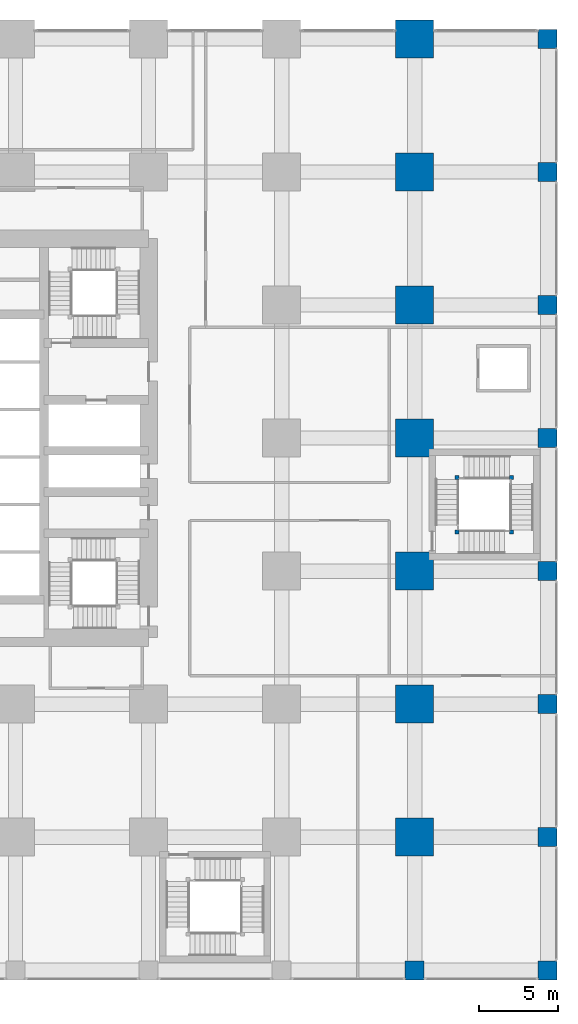
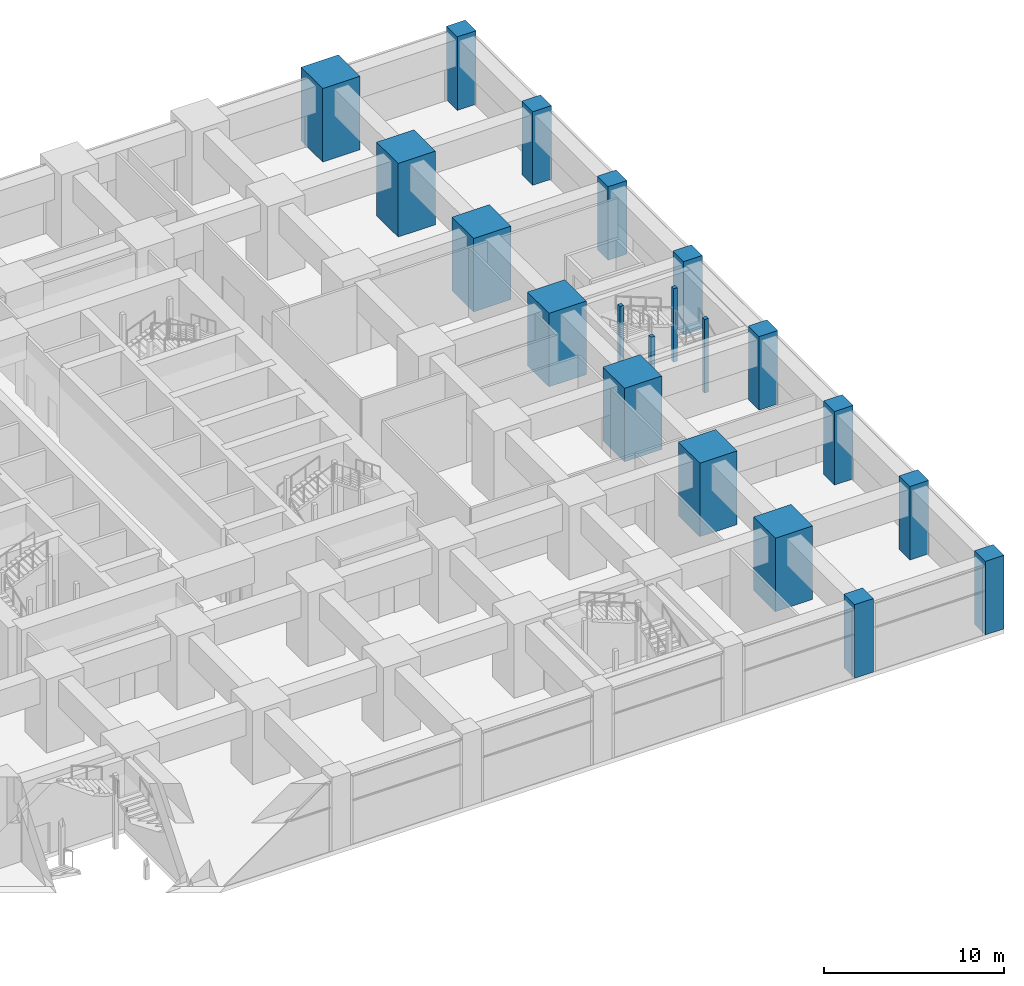
# One storey, part 2 of 49: 20 columns.
"""IFC4 building model written with IfcOpenShell, lengths in metres."""

from ifc_helpers import new_model, si_unit, direction, frame, origin, origin_2d, place, context, subcontext, project, spatial, rectangle, extrude, material, material_profile, profile_set, type_object, element, save


model = new_model("IFC4")

# Units and contexts
model_context = context("Model", 3, precision=1e-05, world=origin(), true_north=direction((0.0, 1.0)))
body_context = subcontext(model_context, "Body", "Model", "MODEL_VIEW")
ifc_project = project(units=[si_unit("LENGTHUNIT", "METRE"), si_unit("AREAUNIT", "SQUARE_METRE"), si_unit("VOLUMEUNIT", "CUBIC_METRE"), si_unit("PLANEANGLEUNIT", "RADIAN"), si_unit("MASSUNIT", "GRAM", prefix="KILO")], contexts=[model_context])

# Site, building, storey
site_placement = place(None, origin())
site = spatial("IfcSite", under=ifc_project, at=site_placement, CompositionType="ELEMENT")
building_placement = place(site_placement, origin())
building = spatial("IfcBuilding", under=site, at=building_placement, Name="Rekha Terrace Tower", CompositionType="ELEMENT")
storey_placement = place(building_placement, frame((0.0, 0.0, 10.39990234375)))
storey = spatial("IfcBuildingStorey", under=building, at=storey_placement, Name="L02", CompositionType="ELEMENT", Elevation=10.39990234375)

# Columns
ifc_material_1 = material(Name="Concrete M70", Category="concrete")
ifc_material_profile_1 = material_profile(ifc_material_1, rectangle(XDim=2.39990234375, YDim=2.39990234375, at=origin_2d()), Name="RC 2400x2400")
ifc_profile_set_1 = profile_set([ifc_material_profile_1], Name="Concrete M70")
column_type_1 = type_object("IfcColumnType", Name="C1 2400x2400 column", PredefinedType="COLUMN", material=ifc_profile_set_1)
for number, where, z_axis, x_axis, name in (
    (1, (67.199951171875, 8.39990234375, 0.0), (0.0, 0.0, 1.0), (1.0, 0.0, 0.0), "Column C1 9/B L02"),
    (2, (67.199951171875, 16.800048828125, 0.0), (0.0, 0.0, 1.0), (1.0, 0.0, 0.0), "Column C1 9/C L02"),
    (3, (67.199951171875, 25.199951171875, 0.0), (0.0, 0.0, 1.0), (1.0, 0.0, 0.0), "Column C1 9/D L02"),
    (4, (67.199951171875, 33.60009765625, 0.0), (0.0, 0.0, 1.0), (1.0, 0.0, 0.0), "Column C1 9/E L02"),
    (5, (67.199951171875, 42.0, 0.0), (0.0, 0.0, 1.0), (1.0, 0.0, 0.0), "Column C1 9/F L02"),
    (6, (67.199951171875, 50.39990234375, 0.0), (0.0, 0.0, 1.0), (1.0, 0.0, 0.0), "Column C1 9/G L02"),
    (7, (67.199951171875, 58.800048828125, 0.0), (0.0, 0.0, 1.0), (1.0, 0.0, 0.0), "Column C1 9/H L02"),
):
    element("IfcColumn", number, at=place(storey_placement, frame(where, z_axis=z_axis, x_axis=x_axis)), inside=storey, type_object=column_type_1, Name=name, PredefinedType="COLUMN", context=body_context, shape_type="SweptSolid", body=[
        extrude(rectangle(XDim=2.39990234375, YDim=2.39990234375, at=origin_2d()), origin(), (0.0, 0.0, 1.0), 5.0),
    ])
ifc_material_2 = material(Name="Concrete M60", Category="concrete")
ifc_material_profile_2 = material_profile(ifc_material_2, rectangle(XDim=1.199951171875, YDim=1.199951171875, at=origin_2d()), Name="RC 1200x1200")
ifc_profile_set_2 = profile_set([ifc_material_profile_2], Name="Concrete M60")
column_type_2 = type_object("IfcColumnType", Name="C6 1200x1200 podium column", PredefinedType="COLUMN", material=ifc_profile_set_2)
for number, where, z_axis, x_axis, name in (
    (8, (67.199951171875, 0.0, 0.0), (0.0, 0.0, 1.0), (1.0, 0.0, 0.0), "Column C6 9/A L02"),
    (9, (75.60009765625, 0.0, 0.0), (0.0, 0.0, 1.0), (1.0, 0.0, 0.0), "Column C6 10/A L02"),
    (10, (75.60009765625, 8.39990234375, 0.0), (0.0, 0.0, 1.0), (1.0, 0.0, 0.0), "Column C6 10/B L02"),
    (11, (75.60009765625, 16.800048828125, 0.0), (0.0, 0.0, 1.0), (1.0, 0.0, 0.0), "Column C6 10/C L02"),
    (12, (75.60009765625, 25.199951171875, 0.0), (0.0, 0.0, 1.0), (1.0, 0.0, 0.0), "Column C6 10/D L02"),
    (13, (75.60009765625, 33.60009765625, 0.0), (0.0, 0.0, 1.0), (1.0, 0.0, 0.0), "Column C6 10/E L02"),
    (14, (75.60009765625, 42.0, 0.0), (0.0, 0.0, 1.0), (1.0, 0.0, 0.0), "Column C6 10/F L02"),
    (15, (75.60009765625, 50.39990234375, 0.0), (0.0, 0.0, 1.0), (1.0, 0.0, 0.0), "Column C6 10/G L02"),
    (16, (75.60009765625, 58.800048828125, 0.0), (0.0, 0.0, 1.0), (1.0, 0.0, 0.0), "Column C6 10/H L02"),
):
    element("IfcColumn", number, at=place(storey_placement, frame(where, z_axis=z_axis, x_axis=x_axis)), inside=storey, type_object=column_type_2, Name=name, PredefinedType="COLUMN", context=body_context, shape_type="SweptSolid", body=[
        extrude(rectangle(XDim=1.199951171875, YDim=1.199951171875, at=origin_2d()), origin(), (0.0, 0.0, 1.0), 5.0),
    ])
ifc_material_profile_3 = material_profile(ifc_material_2, rectangle(XDim=0.25, YDim=0.25, at=origin_2d()), Name="RC 250x250")
ifc_profile_set_3 = profile_set([ifc_material_profile_3], Name="Concrete M60")
column_type_3 = type_object("IfcColumnType", Name="NP1 250x250 stair newel post", PredefinedType="COLUMN", material=ifc_profile_set_3)
for number, where, z_axis, x_axis, name in (
    (17, (69.875, 27.675048828125, 0.0), (0.0, 0.0, 1.0), (1.0, 0.0, 0.0), "Stair newel post NP1"),
    (18, (73.324951171875, 27.675048828125, 0.0), (0.0, 0.0, 1.0), (1.0, 0.0, 0.0), "Stair newel post NP1"),
    (19, (73.324951171875, 31.125, 0.0), (0.0, 0.0, 1.0), (1.0, 0.0, 0.0), "Stair newel post NP1"),
    (20, (69.875, 31.125, 0.0), (0.0, 0.0, 1.0), (1.0, 0.0, 0.0), "Stair newel post NP1"),
):
    element("IfcColumn", number, at=place(storey_placement, frame(where, z_axis=z_axis, x_axis=x_axis)), inside=storey, type_object=column_type_3, Name=name, PredefinedType="COLUMN", context=body_context, shape_type="SweptSolid", body=[
        extrude(rectangle(XDim=0.25, YDim=0.25, at=origin_2d()), origin(), (0.0, 0.0, 1.0), 5.0),
    ])

save(model, "model.ifc")
